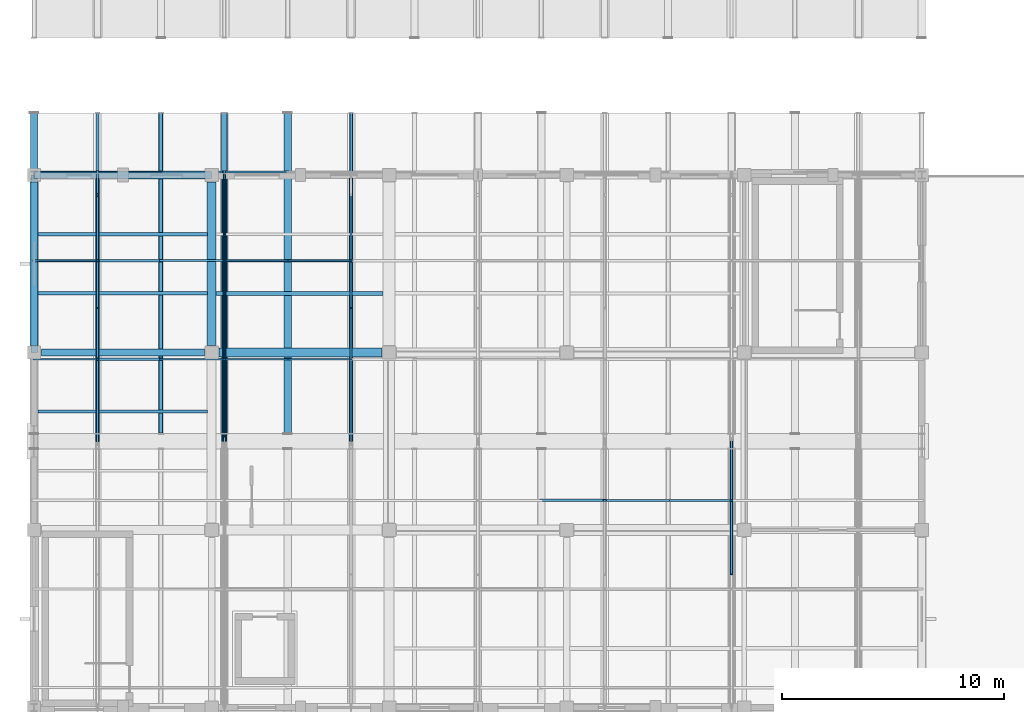
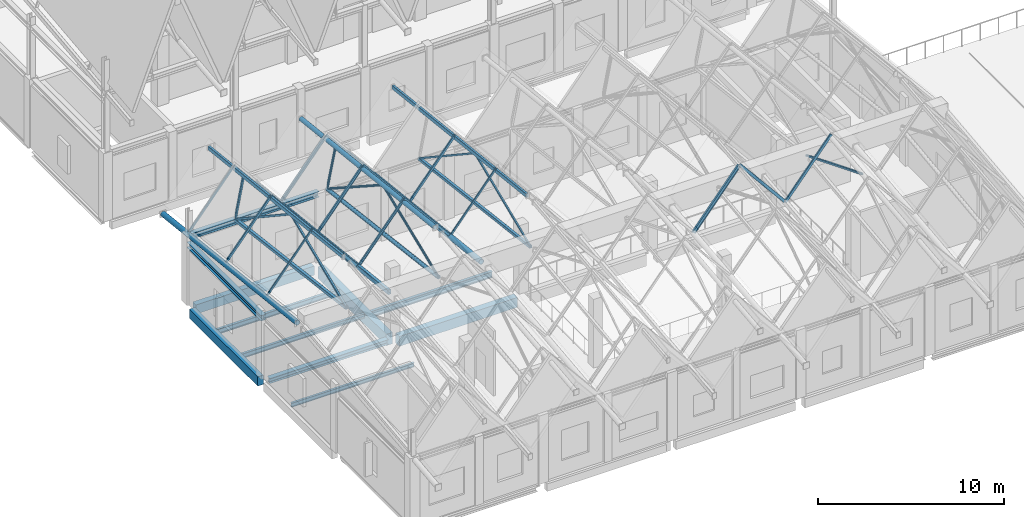
# One storey, part 11 of 77: 29 members, 17 beams.
"""IFC4 building model written with IfcOpenShell, lengths in metres."""

from ifc_helpers import new_model, si_unit, direction, frame, origin, origin_2d, place, context, subcontext, project, spatial, rectangle, hollow_rectangle, hollow_circle, i_section, extrude, material, material_profile, profile_set, type_object, element, save


model = new_model("IFC4")

# Units and contexts
model_context = context("Model", 3, precision=1e-05, world=origin(), true_north=direction((0.0, 1.0)))
body_context = subcontext(model_context, "Body", "Model", "MODEL_VIEW")
ifc_project = project(units=[si_unit("LENGTHUNIT", "METRE"), si_unit("AREAUNIT", "SQUARE_METRE"), si_unit("VOLUMEUNIT", "CUBIC_METRE"), si_unit("PLANEANGLEUNIT", "RADIAN"), si_unit("MASSUNIT", "GRAM", prefix="KILO")], contexts=[model_context])

# Site, building, storey
site_placement = place(None, origin())
site = spatial("IfcSite", under=ifc_project, at=site_placement, CompositionType="ELEMENT")
building_placement = place(site_placement, origin())
building = spatial("IfcBuilding", under=site, at=building_placement, Name="Luwemba Playhouse", CompositionType="ELEMENT")
storey_placement = place(building_placement, frame((0.0, 0.0, 9.300048828125)))
storey = spatial("IfcBuildingStorey", under=building, at=storey_placement, Name="L02", CompositionType="ELEMENT", Elevation=9.300048828125)

# Beams
ifc_material_1 = material(Name="Concrete C40/50", Category="concrete")
ifc_material_profile_1 = material_profile(ifc_material_1, rectangle(XDim=0.39990234375, YDim=0.64990234375, at=origin_2d()))
ifc_profile_set_1 = profile_set([ifc_material_profile_1], Name="Concrete C40/50")
beam_type_1 = type_object("IfcBeamType", Name="BM-RB02", PredefinedType="BEAM", material=ifc_profile_set_1)
beam_1_placement = place(storey_placement, frame((12.324951171875, 19.0, -0.574951171875), z_axis=(1.0, 0.0, 0.0), x_axis=(0.0, 1.0, 0.0)))
element("IfcBeam", 1, at=beam_1_placement, inside=storey, type_object=beam_type_1, Name="L02 grid girder 0770", PredefinedType="BEAM", context=body_context, shape_type="SweptSolid", body=[
    extrude(rectangle(XDim=0.39990234375, YDim=0.64990234375, at=origin_2d()), origin(), (0.0, 0.0, 1.0), 7.35009765625),
])
ifc_material_profile_2 = material_profile(ifc_material_1, rectangle(XDim=0.39990234375, YDim=0.75, at=origin_2d()))
ifc_profile_set_2 = profile_set([ifc_material_profile_2], Name="Concrete C40/50")
beam_type_2 = type_object("IfcBeamType", Name="BM-RB03", PredefinedType="BEAM", material=ifc_profile_set_2)
beam_2_placement = place(storey_placement, frame((12.0, 19.324951171875, -0.625), z_axis=(0.0, 1.0, 0.0), x_axis=(-1.0, 0.0, 0.0)))
element("IfcBeam", 2, at=beam_2_placement, inside=storey, type_object=beam_type_2, Name="L02 transverse girder 0784", PredefinedType="BEAM", context=body_context, shape_type="SweptSolid", body=[
    extrude(rectangle(XDim=0.39990234375, YDim=0.75, at=origin_2d()), origin(), (0.0, 0.0, 1.0), 7.35009765625),
])
ifc_material_2 = material(Name="Steel S355", Category="steel")
ifc_material_profile_3 = material_profile(ifc_material_2, hollow_rectangle(XDim=0.14990234375, YDim=0.25, WallThickness=0.010009765625, InnerFilletRadius=0.014892578125, OuterFilletRadius=0.02490234375, at=origin_2d()))
ifc_profile_set_3 = profile_set([ifc_material_profile_3], Name="Steel S355")
beam_type_3 = type_object("IfcBeamType", Name="BM-RTG1", PredefinedType="USERDEFINED", material=ifc_profile_set_3)
for number, where, z_axis, x_axis, name in (
    (3, (6.857177734375, 15.35009765625, 9.01220703125), (0.0, 0.993767706686, -0.111470826443), (-1.0, 0.0, 0.0), "ROOF TRUSS ridge girder 0264"),
    (4, (18.28564453125, 15.35009765625, 9.01220703125), (0.0, 0.993767706686, -0.111470826443), (-1.0, 0.0, 0.0), "ROOF TRUSS ridge girder 0272"),
):
    element("IfcBeam", number, at=place(storey_placement, frame(where, z_axis=z_axis, x_axis=x_axis)), inside=storey, type_object=beam_type_3, Name=name, ObjectType="ROOF TRUSS", PredefinedType="USERDEFINED", context=body_context, shape_type="SweptSolid", body=[
        extrude(hollow_rectangle(XDim=0.14990234375, YDim=0.25, WallThickness=0.010009765625, InnerFilletRadius=0.014892578125, OuterFilletRadius=0.02490234375, at=origin_2d()), origin(), (0.0, 0.0, 1.0), 14.54052734375),
    ])
ifc_material_profile_4 = material_profile(ifc_material_2, hollow_rectangle(XDim=0.199951171875, YDim=0.300048828125, WallThickness=0.012451171875, InnerFilletRadius=0.018798828125, OuterFilletRadius=0.03125, at=origin_2d()))
ifc_profile_set_4 = profile_set([ifc_material_profile_4], Name="Steel S355")
beam_type_4 = type_object("IfcBeamType", Name="BM-RTG2", PredefinedType="USERDEFINED", material=ifc_profile_set_4)
beam_3_placement = place(storey_placement, frame((9.71435546875, 15.35009765625, 5.68212890625), z_axis=(0.0, 0.993767706686, -0.111470826443), x_axis=(-1.0, 0.0, 0.0)))
element("IfcBeam", 5, at=beam_3_placement, inside=storey, type_object=beam_type_4, Name="ROOF TRUSS valley girder 0266", ObjectType="ROOF TRUSS", PredefinedType="USERDEFINED", context=body_context, shape_type="SweptSolid", body=[
    extrude(hollow_rectangle(XDim=0.199951171875, YDim=0.300048828125, WallThickness=0.012451171875, InnerFilletRadius=0.018798828125, OuterFilletRadius=0.03125, at=origin_2d()), origin(), (0.0, 0.0, 1.0), 14.54052734375),
])
ifc_material_profile_5 = material_profile(ifc_material_2, hollow_circle(Radius=0.136474609375, WallThickness=0.012451171875, at=origin_2d()))
ifc_profile_set_5 = profile_set([ifc_material_profile_5], Name="Steel S355")
beam_type_5 = type_object("IfcBeamType", Name="BM-RTG3", PredefinedType="USERDEFINED", material=ifc_profile_set_5)
beam_4_placement = place(storey_placement, frame((12.5712890625, 15.35009765625, 8.92626953125), z_axis=(0.0, 0.993767706686, -0.111470826443), x_axis=(-1.0, 0.0, 0.0)))
element("IfcBeam", 6, at=beam_4_placement, inside=storey, type_object=beam_type_5, Name="ROOF TRUSS ridge girder 0268", ObjectType="ROOF TRUSS", PredefinedType="USERDEFINED", context=body_context, shape_type="SweptSolid", body=[
    extrude(hollow_circle(Radius=0.136474609375, WallThickness=0.012451171875, at=origin_2d()), origin(), (0.0, 0.0, 1.0), 14.54052734375),
])
ifc_material_profile_6 = material_profile(ifc_material_2, hollow_circle(Radius=0.161865234375, WallThickness=0.01611328125, at=origin_2d()))
ifc_profile_set_6 = profile_set([ifc_material_profile_6], Name="Steel S355")
beam_type_6 = type_object("IfcBeamType", Name="BM-RTG4", PredefinedType="USERDEFINED", material=ifc_profile_set_6)
for number, where, z_axis, x_axis, name in (
    (7, (4.0, 15.35009765625, 5.670166015625), (0.0, 0.993767706686, -0.111470826443), (-1.0, 0.0, 0.0), "ROOF TRUSS valley girder 0262"),
    (8, (15.4287109375, 15.35009765625, 5.670166015625), (0.0, 0.993769566516, -0.111454244725), (-1.0, 0.0, 0.0), "ROOF TRUSS valley girder 0270"),
):
    element("IfcBeam", number, at=place(storey_placement, frame(where, z_axis=z_axis, x_axis=x_axis)), inside=storey, type_object=beam_type_6, Name=name, ObjectType="ROOF TRUSS", PredefinedType="USERDEFINED", context=body_context, shape_type="SweptSolid", body=[
        extrude(hollow_circle(Radius=0.161865234375, WallThickness=0.01611328125, at=origin_2d()), origin(), (0.0, 0.0, 1.0), 14.54052734375),
    ])
ifc_material_profile_7 = material_profile(ifc_material_2, i_section(OverallWidth=0.300048828125, OverallDepth=0.330078125, WebThickness=0.009521484375, FlangeThickness=0.0166015625, FilletRadius=0.027099609375, at=origin_2d()))
ifc_profile_set_7 = profile_set([ifc_material_profile_7], Name="Steel S355")
beam_type_7 = type_object("IfcBeamType", Name="BM-SB04", PredefinedType="BEAM", material=ifc_profile_set_7)
beam_5_placement = place(storey_placement, frame((4.324951171875, 19.0, -0.4150390625), z_axis=(1.0, 0.0, 0.0), x_axis=(0.0, 1.0, 0.0)))
element("IfcBeam", 9, at=beam_5_placement, inside=storey, type_object=beam_type_7, Name="L02 grid girder 0769", PredefinedType="BEAM", context=body_context, shape_type="SweptSolid", body=[
    extrude(i_section(OverallWidth=0.300048828125, OverallDepth=0.330078125, WebThickness=0.009521484375, FlangeThickness=0.0166015625, FilletRadius=0.027099609375, at=origin_2d()), origin(), (0.0, 0.0, 1.0), 7.35009765625),
])
ifc_material_profile_8 = material_profile(ifc_material_2, i_section(OverallWidth=0.300048828125, OverallDepth=0.360107421875, WebThickness=0.012451171875, FlangeThickness=0.0224609375, FilletRadius=0.027099609375, at=origin_2d()))
ifc_profile_set_8 = profile_set([ifc_material_profile_8], Name="Steel S355")
beam_type_8 = type_object("IfcBeamType", Name="BM-SB09", PredefinedType="BEAM", material=ifc_profile_set_8)
for number, where, z_axis, x_axis, name in (
    (10, (4.0, 27.0, 4.320068359375), (1.0, 0.0, 0.0), (0.0, 1.0, 0.0), "RF-V5W eave ring beam 0247"),
    (11, (4.0, 19.0, 3.780029296875), (0.0, 1.0, 0.0), (-1.0, 0.0, 0.0), "RF-V5W gable ring beam 0254"),
):
    element("IfcBeam", number, at=place(storey_placement, frame(where, z_axis=z_axis, x_axis=x_axis)), inside=storey, type_object=beam_type_8, Name=name, PredefinedType="BEAM", context=body_context, shape_type="SweptSolid", body=[
        extrude(i_section(OverallWidth=0.300048828125, OverallDepth=0.360107421875, WebThickness=0.012451171875, FlangeThickness=0.0224609375, FilletRadius=0.027099609375, at=origin_2d()), origin(), (0.0, 0.0, 1.0), 8.0),
    ])
ifc_material_profile_9 = material_profile(ifc_material_2, i_section(OverallWidth=0.135009765625, OverallDepth=0.27001953125, WebThickness=0.006591796875, FlangeThickness=0.01025390625, FilletRadius=0.014892578125, at=origin_2d()))
ifc_profile_set_9 = profile_set([ifc_material_profile_9], Name="Steel S355")
beam_type_9 = type_object("IfcBeamType", Name="BM-SJ04", PredefinedType="JOIST", material=ifc_profile_set_9)
beam_6_placement = place(storey_placement, frame((4.1708984375, 16.333251953125, -0.385009765625), z_axis=(1.0, 0.0, 0.0), x_axis=(0.0, 1.0, 0.0)))
element("IfcBeam", 12, at=beam_6_placement, inside=storey, type_object=beam_type_9, Name="L02 composite floor joist 0448", PredefinedType="JOIST", context=body_context, shape_type="SweptSolid", body=[
    extrude(i_section(OverallWidth=0.135009765625, OverallDepth=0.27001953125, WebThickness=0.006591796875, FlangeThickness=0.01025390625, FilletRadius=0.014892578125, at=origin_2d()), origin(), (0.0, 0.0, 1.0), 7.633056640625),
])
ifc_material_profile_10 = material_profile(ifc_material_2, i_section(OverallWidth=0.14990234375, OverallDepth=0.300048828125, WebThickness=0.007080078125, FlangeThickness=0.0107421875, FilletRadius=0.014892578125, at=origin_2d()))
ifc_profile_set_10 = profile_set([ifc_material_profile_10], Name="Steel S355")
beam_type_10 = type_object("IfcBeamType", Name="BM-SJ05", PredefinedType="JOIST", material=ifc_profile_set_10)
beam_7_placement = place(storey_placement, frame((4.1708984375, 21.666748046875, -0.400146484375), z_axis=(1.0, 0.0, 0.0), x_axis=(0.0, 1.0, 0.0)))
element("IfcBeam", 13, at=beam_7_placement, inside=storey, type_object=beam_type_10, Name="L02 composite floor joist 0449", PredefinedType="JOIST", context=body_context, shape_type="SweptSolid", body=[
    extrude(i_section(OverallWidth=0.14990234375, OverallDepth=0.300048828125, WebThickness=0.007080078125, FlangeThickness=0.0107421875, FilletRadius=0.014892578125, at=origin_2d()), origin(), (0.0, 0.0, 1.0), 7.633056640625),
])
ifc_material_profile_11 = material_profile(ifc_material_2, i_section(OverallWidth=0.159912109375, OverallDepth=0.330078125, WebThickness=0.007568359375, FlangeThickness=0.011474609375, FilletRadius=0.01806640625, at=origin_2d()))
ifc_profile_set_11 = profile_set([ifc_material_profile_11], Name="Steel S355")
beam_type_11 = type_object("IfcBeamType", Name="BM-SJ06", PredefinedType="JOIST", material=ifc_profile_set_11)
beam_8_placement = place(storey_placement, frame((4.1708984375, 24.333251953125, -0.4150390625), z_axis=(1.0, 0.0, 0.0), x_axis=(0.0, 1.0, 0.0)))
element("IfcBeam", 14, at=beam_8_placement, inside=storey, type_object=beam_type_11, Name="L02 composite floor joist 0450", PredefinedType="JOIST", context=body_context, shape_type="SweptSolid", body=[
    extrude(i_section(OverallWidth=0.159912109375, OverallDepth=0.330078125, WebThickness=0.007568359375, FlangeThickness=0.011474609375, FilletRadius=0.01806640625, at=origin_2d()), origin(), (0.0, 0.0, 1.0), 7.633056640625),
])
ifc_material_profile_12 = material_profile(ifc_material_2, i_section(OverallWidth=0.179931640625, OverallDepth=0.39990234375, WebThickness=0.008544921875, FlangeThickness=0.013427734375, FilletRadius=0.02099609375, at=origin_2d()))
ifc_profile_set_12 = profile_set([ifc_material_profile_12], Name="Steel S355")
beam_type_12 = type_object("IfcBeamType", Name="BM-SJ08", PredefinedType="JOIST", material=ifc_profile_set_12)
beam_9_placement = place(storey_placement, frame((12.196044921875, 21.666748046875, -0.449951171875), z_axis=(1.0, 0.0, 0.0), x_axis=(0.0, 1.0, 0.0)))
element("IfcBeam", 15, at=beam_9_placement, inside=storey, type_object=beam_type_12, Name="L02 composite floor joist 0452", PredefinedType="JOIST", context=body_context, shape_type="SweptSolid", body=[
    extrude(i_section(OverallWidth=0.179931640625, OverallDepth=0.39990234375, WebThickness=0.008544921875, FlangeThickness=0.013427734375, FilletRadius=0.02099609375, at=origin_2d()), origin(), (0.0, 0.0, 1.0), 7.532958984375),
])
ifc_material_profile_13 = material_profile(ifc_material_1, rectangle(XDim=0.35009765625, YDim=0.60009765625, at=origin_2d()))
ifc_profile_set_13 = profile_set([ifc_material_profile_13], Name="Concrete C40/50")
beam_type_13 = type_object("IfcBeamType", Name="BM-SP3", PredefinedType="SPANDREL", material=ifc_profile_set_13)
for number, where, z_axis, x_axis, name in (
    (16, (4.324951171875, 27.0, -0.550048828125), (1.0, 0.0, 0.0), (0.0, 1.0, 0.0), "L02 grid girder 0774"),
    (17, (4.0, 19.324951171875, -0.550048828125), (0.0, 1.0, 0.0), (-1.0, 0.0, 0.0), "L02 transverse girder 0781"),
):
    element("IfcBeam", number, at=place(storey_placement, frame(where, z_axis=z_axis, x_axis=x_axis)), inside=storey, type_object=beam_type_13, Name=name, PredefinedType="SPANDREL", context=body_context, shape_type="SweptSolid", body=[
        extrude(rectangle(XDim=0.35009765625, YDim=0.60009765625, at=origin_2d()), origin(), (0.0, 0.0, 1.0), 7.35009765625),
    ])

# Members
ifc_material_profile_14 = material_profile(ifc_material_2, hollow_circle(Radius=0.06982421875, WallThickness=0.008056640625, at=origin_2d()))
ifc_profile_set_14 = profile_set([ifc_material_profile_14], Name="Steel S355")
member_type_1 = type_object("IfcMemberType", Name="MEM-MB01", PredefinedType="BRACE", material=ifc_profile_set_14)
member_1_placement = place(storey_placement, frame((12.5712890625, 15.0, 5.865966796875), z_axis=(0.0, 0.927057348397, 0.374919555083), x_axis=(-1.0, 0.0, 0.0)))
element("IfcMember", 18, at=member_1_placement, inside=storey, type_object=member_type_1, Name="ROOF TRUSS web diagonal 0233", PredefinedType="BRACE", context=body_context, shape_type="SweptSolid", body=[
    extrude(hollow_circle(Radius=0.06982421875, WallThickness=0.008056640625, at=origin_2d()), origin(), (0.0, 0.0, 1.0), 6.47216796875),
])
member_2_placement = place(storey_placement, frame((12.5712890625, 27.0, 4.39990234375), z_axis=(0.0, -0.838917478368, 0.544258637496), x_axis=(1.0, 0.0, 0.0)))
element("IfcMember", 19, at=member_2_placement, inside=storey, type_object=member_type_1, Name="ROOF TRUSS web diagonal 0234", PredefinedType="BRACE", context=body_context, shape_type="SweptSolid", body=[
    extrude(hollow_circle(Radius=0.06982421875, WallThickness=0.008056640625, at=origin_2d()), origin(), (0.0, 0.0, 1.0), 7.152099609375),
])
member_3_placement = place(storey_placement, frame((12.5712890625, 27.0, 4.39990234375), z_axis=(0.0, -0.261573871776, 0.96518345904), x_axis=(1.0, 0.0, 0.0)))
element("IfcMember", 20, at=member_3_placement, inside=storey, type_object=member_type_1, Name="ROOF TRUSS eave knee strut 0061", PredefinedType="BRACE", context=body_context, shape_type="SweptSolid", body=[
    extrude(hollow_circle(Radius=0.06982421875, WallThickness=0.008056640625, at=origin_2d()), origin(), (0.0, 0.0, 1.0), 3.4404296875),
])
ifc_material_profile_15 = material_profile(ifc_material_2, hollow_rectangle(XDim=0.10009765625, YDim=0.10009765625, WallThickness=0.00634765625, InnerFilletRadius=0.009521484375, OuterFilletRadius=0.015869140625, at=origin_2d()))
ifc_profile_set_15 = profile_set([ifc_material_profile_15], Name="Steel S355")
member_type_2 = type_object("IfcMemberType", Name="MEM-MB05", PredefinedType="BRACE", material=ifc_profile_set_15)
member_4_placement = place(storey_placement, frame((18.28564453125, 15.0, 5.865966796875), z_axis=(0.0, 0.922395901699, 0.38624577736), x_axis=(-1.0, 0.0, 0.0)))
element("IfcMember", 21, at=member_4_placement, inside=storey, type_object=member_type_2, Name="ROOF TRUSS web diagonal 0239", PredefinedType="BRACE", context=body_context, shape_type="SweptSolid", body=[
    extrude(hollow_rectangle(XDim=0.10009765625, YDim=0.10009765625, WallThickness=0.00634765625, InnerFilletRadius=0.009521484375, OuterFilletRadius=0.015869140625, at=origin_2d()), origin(), (0.0, 0.0, 1.0), 6.5048828125),
])
member_5_placement = place(storey_placement, frame((18.28564453125, 27.0, 4.39990234375), z_axis=(0.0, -0.833425084447, 0.552632453457), x_axis=(1.0, 0.0, 0.0)))
element("IfcMember", 22, at=member_5_placement, inside=storey, type_object=member_type_2, Name="ROOF TRUSS web diagonal 0240", PredefinedType="BRACE", context=body_context, shape_type="SweptSolid", body=[
    extrude(hollow_rectangle(XDim=0.10009765625, YDim=0.10009765625, WallThickness=0.00634765625, InnerFilletRadius=0.009521484375, OuterFilletRadius=0.015869140625, at=origin_2d()), origin(), (0.0, 0.0, 1.0), 7.19921875),
])
ifc_material_profile_16 = material_profile(ifc_material_2, hollow_rectangle(XDim=0.1201171875, YDim=0.1201171875, WallThickness=0.008056640625, InnerFilletRadius=0.011962890625, OuterFilletRadius=0.02001953125, at=origin_2d()))
ifc_profile_set_16 = profile_set([ifc_material_profile_16], Name="Steel S355")
member_type_3 = type_object("IfcMemberType", Name="MEM-MB06", PredefinedType="BRACE", material=ifc_profile_set_16)
member_6_placement = place(storey_placement, frame((6.857177734375, 15.0, 5.865966796875), z_axis=(0.0, 0.922395901699, 0.38624577736), x_axis=(-1.0, 0.0, 0.0)))
element("IfcMember", 23, at=member_6_placement, inside=storey, type_object=member_type_3, Name="ROOF TRUSS web diagonal 0227", PredefinedType="BRACE", context=body_context, shape_type="SweptSolid", body=[
    extrude(hollow_rectangle(XDim=0.1201171875, YDim=0.1201171875, WallThickness=0.008056640625, InnerFilletRadius=0.011962890625, OuterFilletRadius=0.02001953125, at=origin_2d()), origin(), (0.0, 0.0, 1.0), 6.5048828125),
])
member_7_placement = place(storey_placement, frame((6.857177734375, 27.0, 4.39990234375), z_axis=(0.0, -0.833425084447, 0.552632453457), x_axis=(1.0, 0.0, 0.0)))
element("IfcMember", 24, at=member_7_placement, inside=storey, type_object=member_type_3, Name="ROOF TRUSS web diagonal 0228", PredefinedType="BRACE", context=body_context, shape_type="SweptSolid", body=[
    extrude(hollow_rectangle(XDim=0.1201171875, YDim=0.1201171875, WallThickness=0.008056640625, InnerFilletRadius=0.011962890625, OuterFilletRadius=0.02001953125, at=origin_2d()), origin(), (0.0, 0.0, 1.0), 7.19921875),
])
member_8_placement = place(storey_placement, frame((6.857177734375, 27.0, 4.39990234375), z_axis=(0.0, -0.255410676761, 0.96683265677), x_axis=(1.0, 0.0, 0.0)))
element("IfcMember", 25, at=member_8_placement, inside=storey, type_object=member_type_3, Name="ROOF TRUSS eave knee strut 0059", PredefinedType="BRACE", context=body_context, shape_type="SweptSolid", body=[
    extrude(hollow_rectangle(XDim=0.1201171875, YDim=0.1201171875, WallThickness=0.008056640625, InnerFilletRadius=0.011962890625, OuterFilletRadius=0.02001953125, at=origin_2d()), origin(), (0.0, 0.0, 1.0), 3.5234375),
])
member_9_placement = place(storey_placement, frame((35.4287109375, 15.0, 5.865966796875), z_axis=(0.0, -0.927057348397, 0.374919555083), x_axis=(1.0, 0.0, 0.0)))
element("IfcMember", 26, at=member_9_placement, inside=storey, type_object=member_type_3, Name="ROOF TRUSS web diagonal 0256", PredefinedType="BRACE", context=body_context, shape_type="SweptSolid", body=[
    extrude(hollow_rectangle(XDim=0.1201171875, YDim=0.1201171875, WallThickness=0.008056640625, InnerFilletRadius=0.011962890625, OuterFilletRadius=0.02001953125, at=origin_2d()), origin(), (0.0, 0.0, 1.0), 6.47216796875),
])
ifc_material_profile_17 = material_profile(ifc_material_2, hollow_circle(Radius=0.122314453125, WallThickness=0.012451171875, at=origin_2d()))
ifc_profile_set_17 = profile_set([ifc_material_profile_17], Name="Steel S355")
member_type_4 = type_object("IfcMemberType", Name="MEM-MC01", PredefinedType="CHORD", material=ifc_profile_set_17)
member_10_placement = place(storey_placement, frame((12.5712890625, 15.0, 5.865966796875), z_axis=(0.0, 0.99261951546, -0.121270348924), x_axis=(-1.0, 0.0, 0.0)))
element("IfcMember", 27, at=member_10_placement, inside=storey, type_object=member_type_4, Name="ROOF TRUSS north bottom chord 0230", PredefinedType="CHORD", context=body_context, shape_type="SweptSolid", body=[
    extrude(hollow_circle(Radius=0.122314453125, WallThickness=0.012451171875, at=origin_2d()), origin(), (0.0, 0.0, 1.0), 12.089111328125),
])
ifc_material_profile_18 = material_profile(ifc_material_2, hollow_rectangle(XDim=0.179931640625, YDim=0.179931640625, WallThickness=0.010009765625, InnerFilletRadius=0.014892578125, OuterFilletRadius=0.02490234375, at=origin_2d()))
ifc_profile_set_18 = profile_set([ifc_material_profile_18], Name="Steel S355")
member_type_5 = type_object("IfcMemberType", Name="MEM-MC03", PredefinedType="CHORD", material=ifc_profile_set_18)
member_11_placement = place(storey_placement, frame((18.28564453125, 15.0, 5.865966796875), z_axis=(0.0, 0.99261951546, -0.121270348924), x_axis=(-1.0, 0.0, 0.0)))
element("IfcMember", 28, at=member_11_placement, inside=storey, type_object=member_type_5, Name="ROOF TRUSS north bottom chord 0236", PredefinedType="CHORD", context=body_context, shape_type="SweptSolid", body=[
    extrude(hollow_rectangle(XDim=0.179931640625, YDim=0.179931640625, WallThickness=0.010009765625, InnerFilletRadius=0.014892578125, OuterFilletRadius=0.02490234375, at=origin_2d()), origin(), (0.0, 0.0, 1.0), 12.089111328125),
])
ifc_material_profile_19 = material_profile(ifc_material_2, hollow_rectangle(XDim=0.199951171875, YDim=0.199951171875, WallThickness=0.012451171875, InnerFilletRadius=0.018798828125, OuterFilletRadius=0.03125, at=origin_2d()))
ifc_profile_set_19 = profile_set([ifc_material_profile_19], Name="Steel S355")
member_type_6 = type_object("IfcMemberType", Name="MEM-MC04", PredefinedType="CHORD", material=ifc_profile_set_19)
member_12_placement = place(storey_placement, frame((6.857177734375, 15.0, 5.865966796875), z_axis=(0.0, 0.99261951546, -0.121270348924), x_axis=(-1.0, 0.0, 0.0)))
element("IfcMember", 29, at=member_12_placement, inside=storey, type_object=member_type_6, Name="ROOF TRUSS north bottom chord 0224", PredefinedType="CHORD", context=body_context, shape_type="SweptSolid", body=[
    extrude(hollow_rectangle(XDim=0.199951171875, YDim=0.199951171875, WallThickness=0.012451171875, InnerFilletRadius=0.018798828125, OuterFilletRadius=0.03125, at=origin_2d()), origin(), (0.0, 0.0, 1.0), 12.089111328125),
])
ifc_material_profile_20 = material_profile(ifc_material_2, hollow_rectangle(XDim=0.080078125, YDim=0.1201171875, WallThickness=0.00634765625, InnerFilletRadius=0.009521484375, OuterFilletRadius=0.015869140625, at=origin_2d()))
ifc_profile_set_20 = profile_set([ifc_material_profile_20], Name="Steel S355")
member_type_7 = type_object("IfcMemberType", Name="MEM-MP01", PredefinedType="PURLIN", material=ifc_profile_set_20)
member_13_placement = place(storey_placement, frame((4.0, 18.699951171875, 5.35302734375), z_axis=(0.637410530898, 0.0, 0.770524376708), x_axis=(0.0, 1.0, 0.0)))
element("IfcMember", 30, at=member_13_placement, inside=storey, type_object=member_type_7, Name="Pleated roof purlin 0448", PredefinedType="PURLIN", context=body_context, shape_type="SweptSolid", body=[
    extrude(hollow_rectangle(XDim=0.080078125, YDim=0.1201171875, WallThickness=0.00634765625, InnerFilletRadius=0.009521484375, OuterFilletRadius=0.015869140625, at=origin_2d()), origin(), (0.0, 0.0, 1.0), 4.482421875),
])
member_14_placement = place(storey_placement, frame((6.857177734375, 27.135986328125, 7.86083984375), z_axis=(0.637383781398, 0.0, -0.770546504249), x_axis=(0.0, 1.0, 0.0)))
element("IfcMember", 31, at=member_14_placement, inside=storey, type_object=member_type_7, Name="Pleated roof purlin 0456", PredefinedType="PURLIN", context=body_context, shape_type="SweptSolid", body=[
    extrude(hollow_rectangle(XDim=0.080078125, YDim=0.1201171875, WallThickness=0.00634765625, InnerFilletRadius=0.009521484375, OuterFilletRadius=0.015869140625, at=origin_2d()), origin(), (0.0, 0.0, 1.0), 4.482666015625),
])
member_15_placement = place(storey_placement, frame((15.4287109375, 18.699951171875, 5.35302734375), z_axis=(0.637378192581, 0.0, 0.770551127196), x_axis=(0.0, 1.0, 0.0)))
element("IfcMember", 32, at=member_15_placement, inside=storey, type_object=member_type_7, Name="Pleated roof purlin 0472", PredefinedType="PURLIN", context=body_context, shape_type="SweptSolid", body=[
    extrude(hollow_rectangle(XDim=0.080078125, YDim=0.1201171875, WallThickness=0.00634765625, InnerFilletRadius=0.009521484375, OuterFilletRadius=0.015869140625, at=origin_2d()), origin(), (0.0, 0.0, 1.0), 4.482421875),
])
ifc_material_profile_21 = material_profile(ifc_material_2, hollow_rectangle(XDim=0.10009765625, YDim=0.14990234375, WallThickness=0.008056640625, InnerFilletRadius=0.011962890625, OuterFilletRadius=0.02001953125, at=origin_2d()))
ifc_profile_set_21 = profile_set([ifc_material_profile_21], Name="Steel S355")
member_type_8 = type_object("IfcMemberType", Name="MEM-MP02", PredefinedType="PURLIN", material=ifc_profile_set_21)
for number, where, z_axis, x_axis, name in (
    (33, (4.0, 23.139892578125, 4.827880859375), (0.637410530898, 0.0, 0.770524376708), (0.0, 1.0, 0.0), "Pleated roof purlin 0449"),
    (34, (15.4287109375, 23.139892578125, 4.827880859375), (0.637378192581, 0.0, 0.770551127196), (0.0, 1.0, 0.0), "Pleated roof purlin 0473"),
):
    element("IfcMember", number, at=place(storey_placement, frame(where, z_axis=z_axis, x_axis=x_axis)), inside=storey, type_object=member_type_8, Name=name, PredefinedType="PURLIN", context=body_context, shape_type="SweptSolid", body=[
        extrude(hollow_rectangle(XDim=0.10009765625, YDim=0.14990234375, WallThickness=0.008056640625, InnerFilletRadius=0.011962890625, OuterFilletRadius=0.02001953125, at=origin_2d()), origin(), (0.0, 0.0, 1.0), 4.482421875),
    ])
ifc_material_profile_22 = material_profile(ifc_material_2, hollow_rectangle(XDim=0.080078125, YDim=0.159912109375, WallThickness=0.00634765625, InnerFilletRadius=0.009521484375, OuterFilletRadius=0.015869140625, at=origin_2d()))
ifc_profile_set_22 = profile_set([ifc_material_profile_22], Name="Steel S355")
member_type_9 = type_object("IfcMemberType", Name="MEM-MP03", PredefinedType="PURLIN", material=ifc_profile_set_22)
member_16_placement = place(storey_placement, frame((4.0, 27.135986328125, 4.38671875), z_axis=(0.637383781398, 0.0, 0.770546504249), x_axis=(0.0, 1.0, 0.0)))
element("IfcMember", 35, at=member_16_placement, inside=storey, type_object=member_type_9, Name="Pleated roof purlin 0450", PredefinedType="PURLIN", context=body_context, shape_type="SweptSolid", body=[
    extrude(hollow_rectangle(XDim=0.080078125, YDim=0.159912109375, WallThickness=0.00634765625, InnerFilletRadius=0.009521484375, OuterFilletRadius=0.015869140625, at=origin_2d()), origin(), (0.0, 0.0, 1.0), 4.482666015625),
])
member_17_placement = place(storey_placement, frame((12.5712890625, 18.699951171875, 8.787109375), z_axis=(0.637416116848, 0.0, -0.770519755738), x_axis=(0.0, 1.0, 0.0)))
element("IfcMember", 36, at=member_17_placement, inside=storey, type_object=member_type_9, Name="Pleated roof purlin 0466", PredefinedType="PURLIN", context=body_context, shape_type="SweptSolid", body=[
    extrude(hollow_rectangle(XDim=0.080078125, YDim=0.159912109375, WallThickness=0.00634765625, InnerFilletRadius=0.009521484375, OuterFilletRadius=0.015869140625, at=origin_2d()), origin(), (0.0, 0.0, 1.0), 4.48291015625),
])
ifc_material_profile_23 = material_profile(ifc_material_2, hollow_rectangle(XDim=0.10009765625, YDim=0.179931640625, WallThickness=0.008056640625, InnerFilletRadius=0.011962890625, OuterFilletRadius=0.02001953125, at=origin_2d()))
ifc_profile_set_23 = profile_set([ifc_material_profile_23], Name="Steel S355")
member_type_10 = type_object("IfcMemberType", Name="MEM-MP04", PredefinedType="PURLIN", material=ifc_profile_set_23)
for number, where, z_axis, x_axis, name in (
    (37, (12.5712890625, 23.139892578125, 8.266845703125), (0.637416116848, 0.0, -0.770519755738), (0.0, 1.0, 0.0), "Pleated roof purlin 0467"),
    (38, (32.5712890625, 12.3359375, 5.427001953125), (0.637416116848, 0.0, 0.770519755738), (0.0, 1.0, 0.0), "Pleated roof purlin 0507"),
):
    element("IfcMember", number, at=place(storey_placement, frame(where, z_axis=z_axis, x_axis=x_axis)), inside=storey, type_object=member_type_10, Name=name, PredefinedType="PURLIN", context=body_context, shape_type="SweptSolid", body=[
        extrude(hollow_rectangle(XDim=0.10009765625, YDim=0.179931640625, WallThickness=0.008056640625, InnerFilletRadius=0.011962890625, OuterFilletRadius=0.02001953125, at=origin_2d()), origin(), (0.0, 0.0, 1.0), 4.48291015625),
    ])
ifc_material_profile_24 = material_profile(ifc_material_2, i_section(OverallWidth=0.08203125, OverallDepth=0.159912109375, WebThickness=0.0048828125, FlangeThickness=0.00732421875, FilletRadius=0.009033203125, at=origin_2d()))
ifc_profile_set_24 = profile_set([ifc_material_profile_24], Name="Steel S355")
member_type_11 = type_object("IfcMemberType", Name="MEM-MP05", PredefinedType="PURLIN", material=ifc_profile_set_24)
member_18_placement = place(storey_placement, frame((9.71435546875, 18.699951171875, 5.331787109375), z_axis=(0.637378192581, 0.0, 0.770551127196), x_axis=(0.0, 1.0, 0.0)))
element("IfcMember", 39, at=member_18_placement, inside=storey, type_object=member_type_11, Name="Pleated roof purlin 0460", PredefinedType="PURLIN", context=body_context, shape_type="SweptSolid", body=[
    extrude(i_section(OverallWidth=0.08203125, OverallDepth=0.159912109375, WebThickness=0.0048828125, FlangeThickness=0.00732421875, FilletRadius=0.009033203125, at=origin_2d()), origin(), (0.0, 0.0, 1.0), 4.482421875),
])
member_19_placement = place(storey_placement, frame((12.5712890625, 27.135986328125, 7.839599609375), z_axis=(0.637416116848, 0.0, -0.770519755738), x_axis=(0.0, 1.0, 0.0)))
element("IfcMember", 40, at=member_19_placement, inside=storey, type_object=member_type_11, Name="Pleated roof purlin 0468", PredefinedType="PURLIN", context=body_context, shape_type="SweptSolid", body=[
    extrude(i_section(OverallWidth=0.08203125, OverallDepth=0.159912109375, WebThickness=0.0048828125, FlangeThickness=0.00732421875, FilletRadius=0.009033203125, at=origin_2d()), origin(), (0.0, 0.0, 1.0), 4.48291015625),
])
ifc_material_profile_25 = material_profile(ifc_material_2, i_section(OverallWidth=0.091064453125, OverallDepth=0.179931640625, WebThickness=0.00537109375, FlangeThickness=0.008056640625, FilletRadius=0.009033203125, at=origin_2d()))
ifc_profile_set_25 = profile_set([ifc_material_profile_25], Name="Steel S355")
member_type_12 = type_object("IfcMemberType", Name="MEM-MP06", PredefinedType="PURLIN", material=ifc_profile_set_25)
for number, where, z_axis, x_axis, name in (
    (41, (9.71435546875, 23.139892578125, 4.818359375), (0.637378192581, 0.0, 0.770551127196), (0.0, 1.0, 0.0), "Pleated roof purlin 0461"),
    (42, (29.71435546875, 12.3359375, 8.886474609375), (0.637378192581, 0.0, -0.770551127196), (0.0, 1.0, 0.0), "Pleated roof purlin 0501"),
):
    element("IfcMember", number, at=place(storey_placement, frame(where, z_axis=z_axis, x_axis=x_axis)), inside=storey, type_object=member_type_12, Name=name, PredefinedType="PURLIN", context=body_context, shape_type="SweptSolid", body=[
        extrude(i_section(OverallWidth=0.091064453125, OverallDepth=0.179931640625, WebThickness=0.00537109375, FlangeThickness=0.008056640625, FilletRadius=0.009033203125, at=origin_2d()), origin(), (0.0, 0.0, 1.0), 4.482421875),
    ])
ifc_material_profile_26 = material_profile(ifc_material_2, i_section(OverallWidth=0.10009765625, OverallDepth=0.199951171875, WebThickness=0.005615234375, FlangeThickness=0.008544921875, FilletRadius=0.011962890625, at=origin_2d()))
ifc_profile_set_26 = profile_set([ifc_material_profile_26], Name="Steel S355")
member_type_13 = type_object("IfcMemberType", Name="MEM-MP07", PredefinedType="PURLIN", material=ifc_profile_set_26)
member_20_placement = place(storey_placement, frame((6.857177734375, 18.699951171875, 8.7548828125), z_axis=(0.637383781398, 0.0, -0.770546504249), x_axis=(0.0, 1.0, 0.0)))
element("IfcMember", 43, at=member_20_placement, inside=storey, type_object=member_type_13, Name="Pleated roof purlin 0454", PredefinedType="PURLIN", context=body_context, shape_type="SweptSolid", body=[
    extrude(i_section(OverallWidth=0.10009765625, OverallDepth=0.199951171875, WebThickness=0.005615234375, FlangeThickness=0.008544921875, FilletRadius=0.011962890625, at=origin_2d()), origin(), (0.0, 0.0, 1.0), 4.482666015625),
])
member_21_placement = place(storey_placement, frame((9.71435546875, 27.135986328125, 4.354736328125), z_axis=(0.637378192581, 0.0, 0.770551127196), x_axis=(0.0, 1.0, 0.0)))
element("IfcMember", 44, at=member_21_placement, inside=storey, type_object=member_type_13, Name="Pleated roof purlin 0462", PredefinedType="PURLIN", context=body_context, shape_type="SweptSolid", body=[
    extrude(i_section(OverallWidth=0.10009765625, OverallDepth=0.199951171875, WebThickness=0.005615234375, FlangeThickness=0.008544921875, FilletRadius=0.011962890625, at=origin_2d()), origin(), (0.0, 0.0, 1.0), 4.482421875),
])
ifc_material_profile_27 = material_profile(ifc_material_2, i_section(OverallWidth=0.110107421875, OverallDepth=0.219970703125, WebThickness=0.005859375, FlangeThickness=0.00927734375, FilletRadius=0.011962890625, at=origin_2d()))
ifc_profile_set_27 = profile_set([ifc_material_profile_27], Name="Steel S355")
member_type_14 = type_object("IfcMemberType", Name="MEM-MP08", PredefinedType="PURLIN", material=ifc_profile_set_27)
member_22_placement = place(storey_placement, frame((6.857177734375, 23.139892578125, 8.240966796875), z_axis=(0.637383781398, 0.0, -0.770546504249), x_axis=(0.0, 1.0, 0.0)))
element("IfcMember", 45, at=member_22_placement, inside=storey, type_object=member_type_14, Name="Pleated roof purlin 0455", PredefinedType="PURLIN", context=body_context, shape_type="SweptSolid", body=[
    extrude(i_section(OverallWidth=0.110107421875, OverallDepth=0.219970703125, WebThickness=0.005859375, FlangeThickness=0.00927734375, FilletRadius=0.011962890625, at=origin_2d()), origin(), (0.0, 0.0, 1.0), 4.482666015625),
])
member_23_placement = place(storey_placement, frame((26.857177734375, 12.3359375, 5.401123046875), z_axis=(0.637410530898, 0.0, 0.770524376708), x_axis=(0.0, 1.0, 0.0)))
element("IfcMember", 46, at=member_23_placement, inside=storey, type_object=member_type_14, Name="Pleated roof purlin 0495", PredefinedType="PURLIN", context=body_context, shape_type="SweptSolid", body=[
    extrude(i_section(OverallWidth=0.110107421875, OverallDepth=0.219970703125, WebThickness=0.005859375, FlangeThickness=0.00927734375, FilletRadius=0.011962890625, at=origin_2d()), origin(), (0.0, 0.0, 1.0), 4.482421875),
])

save(model, "model.ifc")
